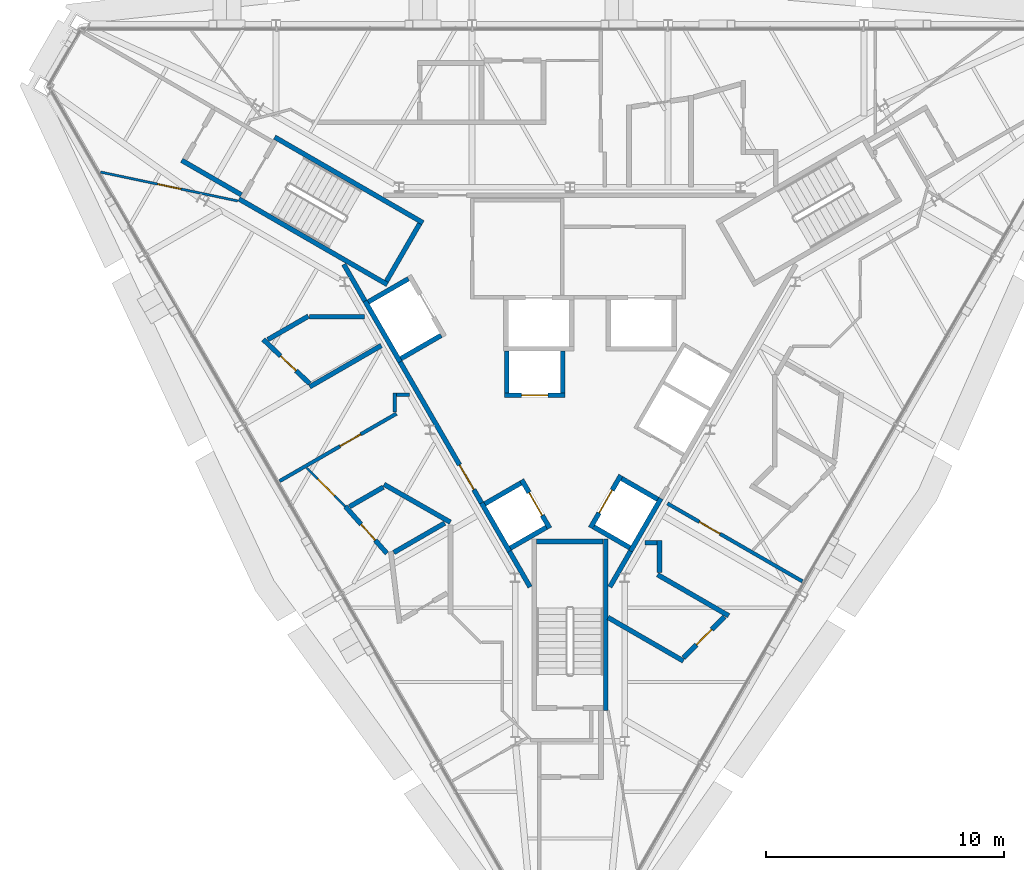
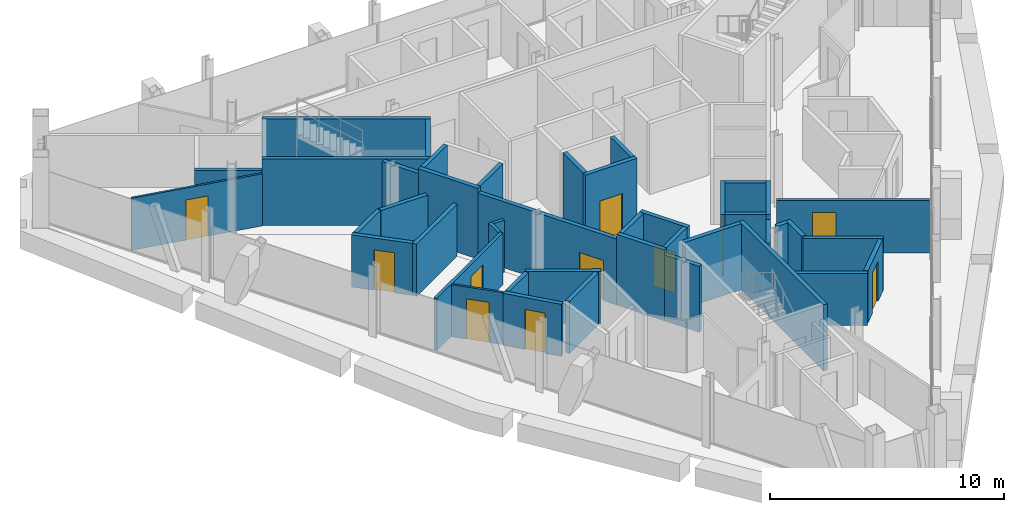
# One storey, part 8 of 13: 43 walls, 11 doors, 11 openings.
"""IFC4 building model written with IfcOpenShell, lengths in metres."""

import ifcopenshell
import ifcopenshell.guid

model = None  # the IFC model being written
_history = None  # IfcOwnerHistory: only IFC2X3 demands one
_inside = {}  # id of a spatial element -> (the spatial element, [elements in it])
_under = {}  # id of a project, library or spatial element -> (it, [spatial elements below it])
_declared = {}  # id of a project -> (the project, [libraries it declares])
_typed = {}  # id of a type object -> (the type object, [elements of that type])
_made_of = {}  # id of a material, layer set ... -> (it, [elements and type objects made of it])


def new_model(schema):
    """Start an empty IFC model of exactly this schema.

    Asked for "IFC4X3", IfcOpenShell would pick the latest addendum, in which some entities
    have other attributes; the version numbers below select the first issue.
    IFC2X3 requires an IfcOwnerHistory on every rooted entity: one is made here for all.
    """
    global model, _history
    if schema == "IFC4X3":
        model = ifcopenshell.file(schema_version=(4, 3, 0, 0))
    else:
        model = ifcopenshell.file(schema=schema)
    _inside.clear()
    _under.clear()
    _declared.clear()
    _typed.clear()
    _made_of.clear()
    _history = None
    if model.schema == "IFC2X3":
        org = make("IfcOrganization", Name="unknown")
        user = make(
            "IfcPersonAndOrganization",
            ThePerson=make("IfcPerson", FamilyName="unknown"),
            TheOrganization=org,
        )
        app = make(
            "IfcApplication",
            ApplicationDeveloper=org,
            Version="unknown",
            ApplicationFullName="unknown",
            ApplicationIdentifier="unknown",
        )
        _history = make(
            "IfcOwnerHistory",
            OwningUser=user,
            OwningApplication=app,
            ChangeAction="ADDED",
            CreationDate=0,
        )
    return model


def make(cls, **values):
    """One entity of the class cls with the attributes given. An attribute that is None is left unset."""
    return model.create_entity(
        cls, **{name: value for name, value in values.items() if value is not None}
    )


def rooted(cls, **values):
    """An entity with a GlobalId (a new one), such as an element, a storey or a relation."""
    return make(cls, GlobalId=ifcopenshell.guid.new(), OwnerHistory=_history, **values)


def si_unit(unit_type, name, prefix=None):
    """IfcSIUnit, for example si_unit("LENGTHUNIT", "METRE", prefix="MILLI")."""
    return make("IfcSIUnit", UnitType=unit_type, Prefix=prefix, Name=name)


def assignment(units):
    """IfcUnitAssignment: the units of a project."""
    return None if units is None else make("IfcUnitAssignment", Units=units)


def point(xyz):
    """IfcCartesianPoint."""
    return None if xyz is None else make("IfcCartesianPoint", Coordinates=xyz)


def direction(xyz):
    """IfcDirection."""
    return None if xyz is None else make("IfcDirection", DirectionRatios=xyz)


def frame(location, z_axis=None, x_axis=None):
    """IfcAxis2Placement3D, a coordinate frame: its origin and axes. An axis left out is left unset."""
    return make(
        "IfcAxis2Placement3D",
        Location=point(location),
        Axis=direction(z_axis),
        RefDirection=direction(x_axis),
    )


def frame_2d(location, x_axis=None):
    """IfcAxis2Placement2D, a coordinate frame in the plane: its origin and x axis."""
    return make(
        "IfcAxis2Placement2D", Location=point(location), RefDirection=direction(x_axis)
    )


def origin():
    """The frame at (0, 0, 0) with its axes left unset."""
    return frame((0.0, 0.0, 0.0))


def place(relative_to, where):
    """IfcLocalPlacement: puts the frame where relative to a parent placement (None: the world)."""
    return make(
        "IfcLocalPlacement", PlacementRelTo=relative_to, RelativePlacement=where
    )


def context(
    kind, dimensions, precision=None, world=None, true_north=None, identifier=None
):
    """IfcGeometricRepresentationContext, for example the 3D "Model" context."""
    return make(
        "IfcGeometricRepresentationContext",
        ContextIdentifier=identifier,
        ContextType=kind,
        CoordinateSpaceDimension=dimensions,
        Precision=precision,
        WorldCoordinateSystem=world,
        TrueNorth=true_north,
    )


def subcontext(parent, identifier, kind, view, scale=None):
    """IfcGeometricRepresentationSubContext, for example "Body" below "Model"."""
    return make(
        "IfcGeometricRepresentationSubContext",
        ContextIdentifier=identifier,
        ContextType=kind,
        ParentContext=parent,
        TargetScale=scale,
        TargetView=view,
    )


def project(units=None, contexts=None):
    """IfcProject with its units and contexts."""
    return rooted(
        "IfcProject",
        Name="project",
        RepresentationContexts=contexts,
        UnitsInContext=assignment(units),
    )


def spatial(cls, under=None, at=None, **own):
    """A site, building, storey or space (cls), placed at a placement, below another one or the project."""
    s = rooted(cls, ObjectPlacement=at, **own)
    if under is not None:
        _under.setdefault(under.id(), (under, []))[1].append(s)
    return s


def profile(cls, at=None, kind="AREA", **sizes):
    """A parametric profile (cls). Its sizes go by their IFC names, for example OverallWidth=200.0."""
    return make(cls, ProfileType=kind, Position=at, **sizes)


def rectangle(**sizes):
    """IfcRectangleProfileDef."""
    return profile("IfcRectangleProfileDef", **sizes)


def extrude(swept, where, along, depth):
    """IfcExtrudedAreaSolid: the profile swept, set in the frame where, extruded along a direction by depth."""
    return make(
        "IfcExtrudedAreaSolid",
        SweptArea=swept,
        Position=where,
        ExtrudedDirection=direction(along),
        Depth=depth,
    )


def shape(context_of_items, identifier, shape_type, items):
    """IfcShapeRepresentation: the items that make up one representation, for example the "Body"."""
    return make(
        "IfcShapeRepresentation",
        ContextOfItems=context_of_items,
        RepresentationIdentifier=identifier,
        RepresentationType=shape_type,
        Items=items,
    )


def material(Name=None, Category=None):
    """IfcMaterial."""
    return make("IfcMaterial", Name=Name, Category=Category)


def layer(
    of_material, thickness, ventilated=None, Name=None, Category=None, Priority=None
):
    """IfcMaterialLayer: one layer of a wall or slab, of a material (None: an air gap)."""
    return make(
        "IfcMaterialLayer",
        Material=of_material,
        LayerThickness=thickness,
        IsVentilated=ventilated,
        Name=Name,
        Category=Category,
        Priority=Priority,
    )


def layer_set(layers, Name=None):
    """IfcMaterialLayerSet."""
    return make("IfcMaterialLayerSet", MaterialLayers=layers, LayerSetName=Name)


def made_of(thing, what):
    """Note that an element or type object is made of a material, layer set ...; save() writes the relation."""
    if what is not None:
        _made_of.setdefault(what.id(), (what, []))[1].append(thing)
    return thing


def type_object(cls, material=None, **own):
    """A type object (cls), such as IfcWallType, which elements share."""
    return made_of(rooted(cls, **own), material)


def element(
    cls,
    number,
    at=None,
    inside=None,
    cuts=None,
    type_object=None,
    material=None,
    context=None,
    identifier="Body",
    shape_type=None,
    held_by="IfcProductDefinitionShape",
    body=None,
    shapes=None,
    **own,
):
    """One element of the class cls, such as IfcWall. Its Tag is "e" and its number.

    at: its placement. inside: the storey or other place that contains it. cuts: it is an
    opening in that element (IfcRelVoidsElement). A single representation is given by context,
    identifier, shape_type and body (its items); several are given by shapes. held_by: the class
    of the entity that holds the representations. save() writes the other relations.
    """
    e = rooted(cls, Tag="e%d" % number, ObjectPlacement=at, **own)
    if body is not None:
        shapes = [shape(context, identifier, shape_type, body)]
    if shapes is not None:
        e.Representation = make(held_by, Representations=shapes)
    if inside is not None:
        _inside.setdefault(inside.id(), (inside, []))[1].append(e)
    if cuts is not None:
        rooted(
            "IfcRelVoidsElement", RelatingBuildingElement=cuts, RelatedOpeningElement=e
        )
    if type_object is not None:
        _typed.setdefault(type_object.id(), (type_object, []))[1].append(e)
    return made_of(e, material)


def fill(opening, filler):
    """IfcRelFillsElement: the door or window that sits in an opening."""
    return rooted(
        "IfcRelFillsElement",
        RelatingOpeningElement=opening,
        RelatedBuildingElement=filler,
    )


def aggregate(whole, parts):
    """IfcRelAggregates: a whole, such as a stair, and the parts it consists of."""
    return rooted("IfcRelAggregates", RelatingObject=whole, RelatedObjects=parts)


def save(model, path):
    """Write the relations noted so far, then the file.

    IfcRelAggregates (storeys below a building ...), IfcRelContainedInSpatialStructure (elements
    in a storey), IfcRelDefinesByType, IfcRelAssociatesMaterial and IfcRelDeclares: one each for
    every whole, place, type object, material and project.
    """
    for whole, parts in _under.values():
        aggregate(whole, parts)
    for where, things in _inside.values():
        rooted(
            "IfcRelContainedInSpatialStructure",
            RelatedElements=things,
            RelatingStructure=where,
        )
    for kind, things in _typed.values():
        rooted("IfcRelDefinesByType", RelatedObjects=things, RelatingType=kind)
    for what, things in _made_of.values():
        rooted("IfcRelAssociatesMaterial", RelatedObjects=things, RelatingMaterial=what)
    for by, libraries in _declared.values():
        rooted("IfcRelDeclares", RelatingContext=by, RelatedDefinitions=libraries)
    model.write(path)


model = new_model("IFC4")

# Units and contexts
model_context = context("Model", 3, precision=1e-05, world=origin(), true_north=direction((0.0, 1.0)))
body_context = subcontext(model_context, "Body", "Model", "MODEL_VIEW")
ifc_project = project(units=[si_unit("LENGTHUNIT", "METRE"), si_unit("AREAUNIT", "SQUARE_METRE"), si_unit("VOLUMEUNIT", "CUBIC_METRE"), si_unit("PLANEANGLEUNIT", "RADIAN"), si_unit("MASSUNIT", "GRAM", prefix="KILO")], contexts=[model_context])

# Site, building, storey
site_placement = place(None, origin())
site = spatial("IfcSite", under=ifc_project, at=site_placement, CompositionType="ELEMENT")
building_placement = place(site_placement, origin())
building = spatial("IfcBuilding", under=site, at=building_placement, Name="Verrane Prism Tower", CompositionType="ELEMENT")
storey_placement = place(building_placement, frame((0.0, 0.0, 289.89990234375)))
storey = spatial("IfcBuildingStorey", under=building, at=storey_placement, Name="L73", CompositionType="ELEMENT", Elevation=289.89990234375)

# Wall
ifc_material_1 = material(Name="Gypsum board partition", Category="other")
ifc_layer_1 = layer(ifc_material_1, 0.199951171875)
ifc_layer_set_1 = layer_set([ifc_layer_1], Name="CW-200 core boundary wall 2 h")
wall_type_1 = type_object("IfcWallType", Name="CW-200 core boundary wall 2 h", PredefinedType="PARTITIONING", material=ifc_layer_set_1)
wall_1_placement = place(storey_placement, frame((-9.509033203125, 3.550537109375, 0.0), z_axis=(0.0, 0.0, 1.0), x_axis=(0.499999136801, -0.866025902152, 0.0)))
element("IfcWall", 1, at=wall_1_placement, inside=storey, type_object=wall_type_1, Name="Core boundary wall CW3-001", PredefinedType="PARTITIONING", context=body_context, shape_type="SweptSolid", body=[
    extrude(rectangle(XDim=1.7822265625, YDim=0.199951171875, at=frame_2d((0.89111328125, 0.0))), origin(), (0.0, 0.0, 1.0), 3.4501953125),
])

# Wall, opening, door
wall_2_placement = place(storey_placement, frame((-7.14111328125, -0.551025390625, 0.0), z_axis=(0.0, 0.0, 1.0), x_axis=(0.500001302854, -0.86602465158, 0.0)))
wall_2 = element("IfcWall", 2, at=wall_2_placement, inside=storey, type_object=wall_type_1, Name="Core boundary wall CW3-003", PredefinedType="PARTITIONING", context=body_context, shape_type="SweptSolid", body=[
    extrude(rectangle(XDim=6.84619140625, YDim=0.199951171875, at=frame_2d((3.423095703125, 0.0))), origin(), (0.0, 0.0, 1.0), 3.4501953125),
])
opening_1_placement = place(wall_2_placement, frame((5.0, 0.0, 0.0)))
opening_1 = element("IfcOpeningElement", 3, at=opening_1_placement, cuts=wall_2, Name="Opening D72510", PredefinedType="OPENING", context=body_context, shape_type="SweptSolid", body=[
    extrude(rectangle(XDim=1.199951171875, YDim=2.10009765625, at=frame_2d((0.60009765625, 1.050048828125))), frame((0.0, 0.10986328125, 0.0), z_axis=(0.0, -1.0, 0.0), x_axis=(1.0, 0.0, 0.0)), (0.0, 0.0, 1.0), 0.219970703125),
])
ifc_material_2 = material(Name="Timber veneered door leaf", Category="wood")
door_type_1 = type_object("IfcDoorType", Name="DR-1200x2100 FD60 single leaf lift lobby", OperationType="NOTDEFINED", PredefinedType="DOOR", material=ifc_material_2)
door_1_placement = place(opening_1_placement, origin())
door_1 = element("IfcDoor", 4, at=door_1_placement, inside=storey, type_object=door_type_1, Name="Lift lobby door D72510", OperationType="SINGLE_SWING_RIGHT", OverallHeight=2.10009765625, OverallWidth=1.199951171875, PredefinedType="DOOR", context=body_context, shape_type="SweptSolid", body=[
    extrude(rectangle(XDim=1.199951171875, YDim=2.10009765625, at=frame_2d((0.60009765625, 1.050048828125))), frame((0.0, 0.02490234375, 0.0), z_axis=(0.0, -1.0, 0.0), x_axis=(1.0, 0.0, 0.0)), (0.0, 0.0, 1.0), 0.050048828125),
])
fill(opening_1, door_1)

# Walls
wall_3_placement = place(storey_placement, frame((-2.541015625, -8.51904296875, 0.0), z_axis=(0.0, 0.0, 1.0), x_axis=(0.500016142392, -0.86601608377, 0.0)))
element("IfcWall", 5, at=wall_3_placement, inside=storey, type_object=wall_type_1, Name="Core boundary wall CW3-004", PredefinedType="PARTITIONING", context=body_context, shape_type="SweptSolid", body=[
    extrude(rectangle(XDim=1.72705078125, YDim=0.199951171875, at=frame_2d((0.863525390625, 0.0))), origin(), (0.0, 0.0, 1.0), 3.4501953125),
])
wall_4_placement = place(storey_placement, frame((1.677490234375, -10.0146484375, 0.0), z_axis=(0.0, 0.0, 1.0), x_axis=(0.49983532306, 0.866120459187, 0.0)))
element("IfcWall", 6, at=wall_4_placement, inside=storey, type_object=wall_type_1, Name="Core boundary wall CW3-005", PredefinedType="PARTITIONING", context=body_context, shape_type="SweptSolid", body=[
    extrude(rectangle(XDim=1.74755859375, YDim=0.199951171875, at=frame_2d((0.873779296875, 0.0))), origin(), (0.0, 0.0, 1.0), 3.4501953125),
])
ifc_material_3 = material(Name="Concrete C40/50", Category="concrete")
ifc_layer_2 = layer(ifc_material_3, 0.199951171875)
ifc_layer_set_2 = layer_set([ifc_layer_2], Name="CW-200 stair core wall concrete C40/50 3 h")
wall_type_2 = type_object("IfcWallType", Name="CW-200 stair core wall concrete C40/50 3 h", PredefinedType="PARTITIONING", material=ifc_layer_set_2)
for number, where, z_axis, x_axis, name in (
    (7, (-7.67822265625, 2.700927734375, 0.0), (0.0, 0.0, 1.0), (-0.866018442252, 0.500012057535, 0.0), "Stair 2 enclosure wall"),
    (8, (-6.17822265625, 5.299072265625, 0.0), (0.0, 0.0, 1.0), (-0.866033125095, 0.499986626058, 0.0), "Stair 2 enclosure wall"),
):
    element("IfcWall", number, at=place(storey_placement, frame(where, z_axis=z_axis, x_axis=x_axis)), inside=storey, type_object=wall_type_2, Name=name, PredefinedType="PARTITIONING", context=body_context, shape_type="SweptSolid", body=[
        extrude(rectangle(XDim=7.199951171875, YDim=0.199951171875, at=frame_2d((3.60009765625, 0.0))), origin(), (0.0, 0.0, 1.0), 3.4501953125),
    ])
wall_5_placement = place(storey_placement, frame((-6.314697265625, 5.262451171875, 0.0), z_axis=(0.0, 0.0, 1.0), x_axis=(-0.500049511043, -0.865996816683, 0.0)))
element("IfcWall", 9, at=wall_5_placement, inside=storey, type_object=wall_type_2, Name="Stair 2 enclosure wall", PredefinedType="PARTITIONING", context=body_context, shape_type="SweptSolid", body=[
    extrude(rectangle(XDim=2.800048828125, YDim=0.199951171875, at=frame_2d((1.39990234375, 0.0))), origin(), (0.0, 0.0, 1.0), 3.4501953125),
])
wall_6_placement = place(storey_placement, frame((1.5, -8.0, 0.0), z_axis=(0.0, 0.0, 1.0), x_axis=(0.0, -1.0, 0.0)))
element("IfcWall", 10, at=wall_6_placement, inside=storey, type_object=wall_type_2, Name="Stair 3 enclosure wall", PredefinedType="PARTITIONING", context=body_context, shape_type="SweptSolid", body=[
    extrude(rectangle(XDim=7.199951171875, YDim=0.199951171875, at=frame_2d((3.60009765625, 0.0))), origin(), (0.0, 0.0, 1.0), 3.4501953125),
])
wall_7_placement = place(storey_placement, frame((-1.39990234375, -8.10009765625, 0.0), z_axis=(0.0, 0.0, 1.0), x_axis=(1.0, 0.0, 0.0)))
element("IfcWall", 11, at=wall_7_placement, inside=storey, type_object=wall_type_2, Name="Stair 3 enclosure wall", PredefinedType="PARTITIONING", context=body_context, shape_type="SweptSolid", body=[
    extrude(rectangle(XDim=2.7998046875, YDim=0.199951171875, at=frame_2d((1.39990234375, 0.0))), origin(), (0.0, 0.0, 1.0), 3.4501953125),
])

# Wall, opening, door
ifc_material_4 = material(Name="Gypsum board shaft wall assembly", Category="other")
ifc_layer_3 = layer(ifc_material_4, 0.199951171875)
ifc_layer_set_3 = layer_set([ifc_layer_3], Name="HW-200 lift shaft wall 2 h")
wall_type_3 = type_object("IfcWallType", Name="HW-200 lift shaft wall 2 h", PredefinedType="PARTITIONING", material=ifc_layer_set_3)
wall_8_placement = place(storey_placement, frame((-2.7548828125, -1.949951171875, 0.0), z_axis=(0.0, 0.0, 1.0), x_axis=(1.0, 0.0, 0.0)))
wall_8 = element("IfcWall", 12, at=wall_8_placement, inside=storey, type_object=wall_type_3, Name="Lift shaft wall", PredefinedType="PARTITIONING", context=body_context, shape_type="SweptSolid", body=[
    extrude(rectangle(XDim=2.5498046875, YDim=0.199951171875, at=frame_2d((1.27490234375, 0.0))), origin(), (0.0, 0.0, 1.0), 3.7001953125),
])
opening_2_placement = place(wall_8_placement, frame((0.72509765625, 0.0, 0.0)))
opening_2 = element("IfcOpeningElement", 13, at=opening_2_placement, cuts=wall_8, Name="Opening D72504", PredefinedType="OPENING", context=body_context, shape_type="SweptSolid", body=[
    extrude(rectangle(XDim=1.10009765625, YDim=2.10009765625, at=frame_2d((0.550048828125, 1.050048828125))), frame((0.0, 0.10986328125, 0.0), z_axis=(0.0, -1.0, 0.0), x_axis=(1.0, 0.0, 0.0)), (0.0, 0.0, 1.0), 0.219970703125),
])
ifc_material_5 = material(Name="Stainless steel sliding landing door", Category="steel")
door_type_2 = type_object("IfcDoorType", Name="LD-1100x2100 lift landing door FD90 sliding", OperationType="NOTDEFINED", PredefinedType="DOOR", material=ifc_material_5)
door_2_placement = place(opening_2_placement, origin())
door_2 = element("IfcDoor", 14, at=door_2_placement, inside=storey, type_object=door_type_2, Name="Bank C lift 2 landing door", OperationType="SLIDING_TO_RIGHT", OverallHeight=2.10009765625, OverallWidth=1.10009765625, PredefinedType="DOOR", context=body_context, shape_type="SweptSolid", body=[
    extrude(rectangle(XDim=1.10009765625, YDim=2.10009765625, at=frame_2d((0.550048828125, 1.050048828125))), frame((0.0, 0.02490234375, 0.0), z_axis=(0.0, -1.0, 0.0), x_axis=(1.0, 0.0, 0.0)), (0.0, 0.0, 1.0), 0.050048828125),
])
fill(opening_2, door_2)

# Walls
for number, where, z_axis, x_axis, name in (
    (15, (-2.50537109375, -8.38037109375, 0.0), (0.0, 0.0, 1.0), (0.866002029911, 0.500040482552, 0.0), "Lift shaft wall"),
    (16, (-3.580322265625, -6.5185546875, 0.0), (0.0, 0.0, 1.0), (0.866002029911, 0.500040482552, 0.0), "Lift shaft wall"),
):
    element("IfcWall", number, at=place(storey_placement, frame(where, z_axis=z_axis, x_axis=x_axis)), inside=storey, type_object=wall_type_3, Name=name, PredefinedType="PARTITIONING", context=body_context, shape_type="SweptSolid", body=[
        extrude(rectangle(XDim=1.749755859375, YDim=0.199951171875, at=frame_2d((0.875, 0.0))), origin(), (0.0, 0.0, 1.0), 3.7001953125),
    ])
for number, where, z_axis, x_axis, name in (
    (17, (-7.10546875, -0.4130859375, 0.0), (0.0, 0.0, 1.0), (0.866000020948, 0.500043961785, 0.0), "Lift shaft wall"),
    (18, (-8.48046875, 1.968505859375, 0.0), (0.0, 0.0, 1.0), (0.866000020948, 0.500043961785, 0.0), "Lift shaft wall"),
):
    element("IfcWall", number, at=place(storey_placement, frame(where, z_axis=z_axis, x_axis=x_axis)), inside=storey, type_object=wall_type_3, Name=name, PredefinedType="PARTITIONING", context=body_context, shape_type="SweptSolid", body=[
        extrude(rectangle(XDim=1.949951171875, YDim=0.199951171875, at=frame_2d((0.97509765625, 0.0))), origin(), (0.0, 0.0, 1.0), 3.7001953125),
    ])
wall_9_placement = place(storey_placement, frame((2.552001953125, -8.499755859375, 0.0), z_axis=(0.0, 0.0, 1.0), x_axis=(0.499990435942, 0.866030925526, 0.0)))
element("IfcWall", 19, at=wall_9_placement, inside=storey, type_object=wall_type_3, Name="Lift shaft wall", PredefinedType="PARTITIONING", context=body_context, shape_type="SweptSolid", body=[
    extrude(rectangle(XDim=2.5498046875, YDim=0.199951171875, at=frame_2d((1.27490234375, 0.0))), origin(), (0.0, 0.0, 1.0), 3.7001953125),
])

# Wall, opening, door
wall_10_placement = place(storey_placement, frame((0.86328125, -7.524658203125, 0.0), z_axis=(0.0, 0.0, 1.0), x_axis=(0.499990435942, 0.866030925526, 0.0)))
wall_10 = element("IfcWall", 20, at=wall_10_placement, inside=storey, type_object=wall_type_3, Name="Lift shaft wall", PredefinedType="PARTITIONING", context=body_context, shape_type="SweptSolid", body=[
    extrude(rectangle(XDim=2.5498046875, YDim=0.199951171875, at=frame_2d((1.27490234375, 0.0))), origin(), (0.0, 0.0, 1.0), 3.7001953125),
])
opening_3_placement = place(wall_10_placement, frame((0.72509765625, 0.0, 0.0)))
opening_3 = element("IfcOpeningElement", 21, at=opening_3_placement, cuts=wall_10, Name="Opening D72505", PredefinedType="OPENING", context=body_context, shape_type="SweptSolid", body=[
    extrude(rectangle(XDim=1.10009765625, YDim=2.10009765625, at=frame_2d((0.550048828125, 1.050048828125))), frame((0.0, 0.10986328125, 0.0), z_axis=(0.0, -1.0, 0.0), x_axis=(1.0, 0.0, 0.0)), (0.0, 0.0, 1.0), 0.219970703125),
])
door_3_placement = place(opening_3_placement, origin())
door_3 = element("IfcDoor", 22, at=door_3_placement, inside=storey, type_object=door_type_2, Name="Bank C lift 3 landing door", OperationType="SLIDING_TO_LEFT", OverallHeight=2.10009765625, OverallWidth=1.10009765625, PredefinedType="DOOR", context=body_context, shape_type="SweptSolid", body=[
    extrude(rectangle(XDim=1.10009765625, YDim=2.10009765625, at=frame_2d((0.550048828125, 1.050048828125))), frame((0.0, 0.02490234375, 0.0), z_axis=(0.0, -1.0, 0.0), x_axis=(1.0, 0.0, 0.0)), (0.0, 0.0, 1.0), 0.050048828125),
])
fill(opening_3, door_3)

# Walls
for number, where, z_axis, x_axis, name in (
    (23, (-0.304931640625, -1.85009765625, 0.0), (0.0, 0.0, 1.0), (0.0, 1.0, 0.0), "Lift shaft wall"),
    (24, (-2.655029296875, -1.85009765625, 0.0), (0.0, 0.0, 1.0), (0.0, 1.0, 0.0), "Lift shaft wall"),
):
    element("IfcWall", number, at=place(storey_placement, frame(where, z_axis=z_axis, x_axis=x_axis)), inside=storey, type_object=wall_type_3, Name=name, PredefinedType="PARTITIONING", context=body_context, shape_type="SweptSolid", body=[
        extrude(rectangle(XDim=1.75, YDim=0.199951171875, at=frame_2d((0.875, 0.0))), origin(), (0.0, 0.0, 1.0), 3.7001953125),
    ])

# Wall, opening, door
wall_11_placement = place(storey_placement, frame((-0.853271484375, -7.5419921875, 0.0), z_axis=(0.0, 0.0, 1.0), x_axis=(-0.500016218704, 0.866016039709, 0.0)))
wall_11 = element("IfcWall", 25, at=wall_11_placement, inside=storey, type_object=wall_type_3, Name="Lift shaft wall", PredefinedType="PARTITIONING", context=body_context, shape_type="SweptSolid", body=[
    extrude(rectangle(XDim=2.35009765625, YDim=0.199951171875, at=frame_2d((1.175048828125, 0.0))), origin(), (0.0, 0.0, 1.0), 3.7001953125),
])
opening_4_placement = place(wall_11_placement, frame((0.625, 0.0, 0.0)))
opening_4 = element("IfcOpeningElement", 26, at=opening_4_placement, cuts=wall_11, Name="Opening D72503", PredefinedType="OPENING", context=body_context, shape_type="SweptSolid", body=[
    extrude(rectangle(XDim=1.10009765625, YDim=2.10009765625, at=frame_2d((0.550048828125, 1.050048828125))), frame((0.0, 0.10986328125, 0.0), z_axis=(0.0, -1.0, 0.0), x_axis=(1.0, 0.0, 0.0)), (0.0, 0.0, 1.0), 0.219970703125),
])
door_4_placement = place(opening_4_placement, origin())
door_4 = element("IfcDoor", 27, at=door_4_placement, inside=storey, type_object=door_type_2, Name="Bank C lift 1 landing door", OperationType="SLIDING_TO_LEFT", OverallHeight=2.10009765625, OverallWidth=1.10009765625, PredefinedType="DOOR", context=body_context, shape_type="SweptSolid", body=[
    extrude(rectangle(XDim=1.10009765625, YDim=2.10009765625, at=frame_2d((0.550048828125, 1.050048828125))), frame((0.0, 0.02490234375, 0.0), z_axis=(0.0, -1.0, 0.0), x_axis=(1.0, 0.0, 0.0)), (0.0, 0.0, 1.0), 0.050048828125),
])
fill(opening_4, door_4)

# Walls
wall_12_placement = place(storey_placement, frame((-2.5419921875, -8.51708984375, 0.0), z_axis=(0.0, 0.0, 1.0), x_axis=(-0.500016218704, 0.866016039709, 0.0)))
element("IfcWall", 28, at=wall_12_placement, inside=storey, type_object=wall_type_3, Name="Lift shaft wall", PredefinedType="PARTITIONING", context=body_context, shape_type="SweptSolid", body=[
    extrude(rectangle(XDim=2.35009765625, YDim=0.199951171875, at=frame_2d((1.175048828125, 0.0))), origin(), (0.0, 0.0, 1.0), 3.7001953125),
])
wall_13_placement = place(storey_placement, frame((-7.14208984375, -0.549560546875, 0.0), z_axis=(0.0, 0.0, 1.0), x_axis=(-0.49997559174, 0.866039495442, 0.0)))
element("IfcWall", 29, at=wall_13_placement, inside=storey, type_object=wall_type_3, Name="Lift shaft wall", PredefinedType="PARTITIONING", context=body_context, shape_type="SweptSolid", body=[
    extrude(rectangle(XDim=2.949951171875, YDim=0.199951171875, at=frame_2d((1.47509765625, 0.0))), origin(), (0.0, 0.0, 1.0), 3.7001953125),
])
for number, where, z_axis, x_axis, name in (
    (30, (3.6904296875, -6.327880859375, 0.0), (0.0, 0.0, 1.0), (-0.866036909293, 0.499980071345, 0.0), "Lift shaft wall"),
    (31, (2.515380859375, -8.36328125, 0.0), (0.0, 0.0, 1.0), (-0.866036909293, 0.499980071345, 0.0), "Lift shaft wall"),
):
    element("IfcWall", number, at=place(storey_placement, frame(where, z_axis=z_axis, x_axis=x_axis)), inside=storey, type_object=wall_type_3, Name=name, PredefinedType="PARTITIONING", context=body_context, shape_type="SweptSolid", body=[
        extrude(rectangle(XDim=1.75, YDim=0.199951171875, at=frame_2d((0.875, 0.0))), origin(), (0.0, 0.0, 1.0), 3.7001953125),
    ])

# Wall, opening, door
ifc_material_6 = material(Name="Gypsum board partition", Category="other")
ifc_layer_4 = layer(ifc_material_6, 0.10009765625)
ifc_layer_set_4 = layer_set([ifc_layer_4], Name="PW-100 room partition")
wall_type_4 = type_object("IfcWallType", Name="PW-100 room partition", PredefinedType="PARTITIONING", material=ifc_layer_set_4)
wall_14_placement = place(storey_placement, frame((-19.728759765625, 7.428466796875, 0.0), z_axis=(0.0, 0.0, 1.0), x_axis=(0.97852427483, -0.206131617102, 0.0)))
wall_14 = element("IfcWall", 32, at=wall_14_placement, inside=storey, type_object=wall_type_4, Name="Room partition 002", PredefinedType="PARTITIONING", context=body_context, shape_type="SweptSolid", body=[
    extrude(rectangle(XDim=5.89111328125, YDim=0.10009765625, at=frame_2d((2.945556640625, 0.0))), origin(), (0.0, 0.0, 1.0), 2.72314453125),
])
opening_5_placement = place(wall_14_placement, frame((2.44970703125, 0.0, 0.0)))
opening_5 = element("IfcOpeningElement", 33, at=opening_5_placement, cuts=wall_14, Name="Opening D72021", PredefinedType="OPENING", context=body_context, shape_type="SweptSolid", body=[
    extrude(rectangle(XDim=1.0, YDim=2.10009765625, at=frame_2d((0.5, 1.050048828125))), frame((0.0, 0.06005859375, 0.0), z_axis=(0.0, -1.0, 0.0), x_axis=(1.0, 0.0, 0.0)), (0.0, 0.0, 1.0), 0.1201171875),
])
ifc_material_7 = material(Name="Timber veneered door leaf", Category="wood")
door_type_3 = type_object("IfcDoorType", Name="DR-1000x2100 single leaf inner", OperationType="NOTDEFINED", PredefinedType="DOOR", material=ifc_material_7)
door_5_placement = place(opening_5_placement, origin())
door_5 = element("IfcDoor", 34, at=door_5_placement, inside=storey, type_object=door_type_3, Name="Living And Dining Room door", OperationType="SINGLE_SWING_LEFT", OverallHeight=2.10009765625, OverallWidth=1.0, PredefinedType="DOOR", context=body_context, shape_type="SweptSolid", body=[
    extrude(rectangle(XDim=1.0, YDim=2.10009765625, at=frame_2d((0.5, 1.050048828125))), frame((0.0, 0.02490234375, 0.0), z_axis=(0.0, -1.0, 0.0), x_axis=(1.0, 0.0, 0.0)), (0.0, 0.0, 1.0), 0.050048828125),
])
fill(opening_5, door_5)

wall_15_placement = place(storey_placement, frame((-9.4521484375, -6.626708984375, 0.0), z_axis=(0.0, 0.0, 1.0), x_axis=(-0.707106781187, 0.707106781187, 0.0)))
wall_15 = element("IfcWall", 35, at=wall_15_placement, inside=storey, type_object=wall_type_4, Name="Room partition 013", PredefinedType="PARTITIONING", context=body_context, shape_type="SweptSolid", body=[
    extrude(rectangle(XDim=2.288818359375, YDim=0.10009765625, at=frame_2d((1.14453125, 0.0))), origin(), (0.0, 0.0, 1.0), 2.72314453125),
])
opening_6_placement = place(wall_15_placement, frame((0.6298828125, 0.0, 0.0)))
opening_6 = element("IfcOpeningElement", 36, at=opening_6_placement, cuts=wall_15, Name="Opening D72023", PredefinedType="OPENING", context=body_context, shape_type="SweptSolid", body=[
    extrude(rectangle(XDim=1.0, YDim=2.10009765625, at=frame_2d((0.5, 1.050048828125))), frame((0.0, 0.06005859375, 0.0), z_axis=(0.0, -1.0, 0.0), x_axis=(1.0, 0.0, 0.0)), (0.0, 0.0, 1.0), 0.1201171875),
])
door_6_placement = place(opening_6_placement, origin())
door_6 = element("IfcDoor", 37, at=door_6_placement, inside=storey, type_object=door_type_3, Name="Entrance Foyer door", OperationType="SINGLE_SWING_RIGHT", OverallHeight=2.10009765625, OverallWidth=1.0, PredefinedType="DOOR", context=body_context, shape_type="SweptSolid", body=[
    extrude(rectangle(XDim=1.0, YDim=2.10009765625, at=frame_2d((0.5, 1.050048828125))), frame((0.0, 0.02490234375, 0.0), z_axis=(0.0, -1.0, 0.0), x_axis=(1.0, 0.0, 0.0)), (0.0, 0.0, 1.0), 0.050048828125),
])
fill(opening_6, door_6)

ifc_material_8 = material(Name="Gypsum board partition", Category="other")
ifc_layer_5 = layer(ifc_material_8, 0.14990234375)
ifc_layer_set_5 = layer_set([ifc_layer_5], Name="PW-150 demising wall 1 h")
wall_type_5 = type_object("IfcWallType", Name="PW-150 demising wall 1 h", PredefinedType="PARTITIONING", material=ifc_layer_set_5)
wall_16_placement = place(storey_placement, frame((-12.205078125, -5.562255859375, 0.0), z_axis=(0.0, 0.0, 1.0), x_axis=(0.866006351856, 0.500032997455, 0.0)))
wall_16 = element("IfcWall", 38, at=wall_16_placement, inside=storey, type_object=wall_type_5, Name="Demising wall 011", PredefinedType="PARTITIONING", context=body_context, shape_type="SweptSolid", body=[
    extrude(rectangle(XDim=5.6708984375, YDim=0.14990234375, at=frame_2d((2.83544921875, 0.0))), origin(), (0.0, 0.0, 1.0), 2.72314453125),
])
opening_7_placement = place(wall_16_placement, frame((2.935302734375, 0.0, 0.0)))
opening_7 = element("IfcOpeningElement", 39, at=opening_7_placement, cuts=wall_16, Name="Opening D72019", PredefinedType="OPENING", context=body_context, shape_type="SweptSolid", body=[
    extrude(rectangle(XDim=1.0, YDim=2.10009765625, at=frame_2d((0.5, 1.050048828125))), frame((0.0, 0.0849609375, 0.0), z_axis=(0.0, -1.0, 0.0), x_axis=(1.0, 0.0, 0.0)), (0.0, 0.0, 1.0), 0.169921875),
])
ifc_material_9 = material(Name="Timber veneered door leaf", Category="wood")
door_type_4 = type_object("IfcDoorType", Name="DR-1000x2100 FD20 single leaf inner", OperationType="NOTDEFINED", PredefinedType="DOOR", material=ifc_material_9)
door_7_placement = place(opening_7_placement, origin())
door_7 = element("IfcDoor", 40, at=door_7_placement, inside=storey, type_object=door_type_4, Name="Entrance Foyer door", OperationType="SINGLE_SWING_LEFT", OverallHeight=2.10009765625, OverallWidth=1.0, PredefinedType="DOOR", context=body_context, shape_type="SweptSolid", body=[
    extrude(rectangle(XDim=1.0, YDim=2.10009765625, at=frame_2d((0.5, 1.050048828125))), frame((0.0, 0.02490234375, 0.0), z_axis=(0.0, -1.0, 0.0), x_axis=(1.0, 0.0, 0.0)), (0.0, 0.0, 1.0), 0.050048828125),
])
fill(opening_7, door_7)

# Walls
wall_17_placement = place(storey_placement, frame((-7.35888671875, -2.6640625, 0.0), z_axis=(0.0, 0.0, 1.0), x_axis=(0.0, 1.0, 0.0)))
element("IfcWall", 41, at=wall_17_placement, inside=storey, type_object=wall_type_5, Name="Demising wall 022", PredefinedType="PARTITIONING", context=body_context, shape_type="SweptSolid", body=[
    extrude(rectangle(XDim=0.80810546875, YDim=0.14990234375, at=frame_2d((0.404052734375, 0.0))), origin(), (0.0, 0.0, 1.0), 2.72314453125),
])
wall_18_placement = place(storey_placement, frame((-7.283935546875, -1.930908203125, 0.0), z_axis=(0.0, 0.0, 1.0), x_axis=(1.0, 0.0, 0.0)))
element("IfcWall", 42, at=wall_18_placement, inside=storey, type_object=wall_type_5, Name="Demising wall 023", PredefinedType="PARTITIONING", context=body_context, shape_type="SweptSolid", body=[
    extrude(rectangle(XDim=0.546875, YDim=0.14990234375, at=frame_2d((0.2734375, 0.0))), origin(), (0.0, 0.0, 1.0), 2.72314453125),
])

# Wall, opening, door
wall_19_placement = place(storey_placement, frame((9.771728515625, -9.77685546875, 0.0), z_axis=(0.0, 0.0, 1.0), x_axis=(-0.866083818164, 0.499898809675, 0.0)))
wall_19 = element("IfcWall", 43, at=wall_19_placement, inside=storey, type_object=wall_type_5, Name="Demising wall 052", PredefinedType="PARTITIONING", context=body_context, shape_type="SweptSolid", body=[
    extrude(rectangle(XDim=6.551025390625, YDim=0.14990234375, at=frame_2d((3.275390625, 0.0))), origin(), (0.0, 0.0, 1.0), 2.72314453125),
])
opening_8_placement = place(wall_19_placement, frame((4.0009765625, 0.0, 0.0)))
opening_8 = element("IfcOpeningElement", 44, at=opening_8_placement, cuts=wall_19, Name="Opening D72001", PredefinedType="OPENING", context=body_context, shape_type="SweptSolid", body=[
    extrude(rectangle(XDim=1.0, YDim=2.10009765625, at=frame_2d((0.5, 1.050048828125))), frame((0.0, 0.0849609375, 0.0), z_axis=(0.0, -1.0, 0.0), x_axis=(1.0, 0.0, 0.0)), (0.0, 0.0, 1.0), 0.169921875),
])
door_8_placement = place(opening_8_placement, origin())
door_8 = element("IfcDoor", 45, at=door_8_placement, inside=storey, type_object=door_type_4, Name="Entrance Foyer door", OperationType="SINGLE_SWING_RIGHT", OverallHeight=2.10009765625, OverallWidth=1.0, PredefinedType="DOOR", context=body_context, shape_type="SweptSolid", body=[
    extrude(rectangle(XDim=1.0, YDim=2.10009765625, at=frame_2d((0.5, 1.050048828125))), frame((0.0, 0.02490234375, 0.0), z_axis=(0.0, -1.0, 0.0), x_axis=(1.0, 0.0, 0.0)), (0.0, 0.0, 1.0), 0.050048828125),
])
fill(opening_8, door_8)

# Walls
ifc_material_10 = material(Name="Gypsum board partition", Category="other")
ifc_layer_6 = layer(ifc_material_10, 0.199951171875)
ifc_layer_set_6 = layer_set([ifc_layer_6], Name="PW-200 plumbing wall")
wall_type_6 = type_object("IfcWallType", Name="PW-200 plumbing wall", PredefinedType="PARTITIONING", material=ifc_layer_set_6)
wall_20_placement = place(storey_placement, frame((-16.32470703125, 7.924072265625, 0.0), z_axis=(0.0, 0.0, 1.0), x_axis=(0.865969617579, -0.500096612097, 0.0)))
element("IfcWall", 46, at=wall_20_placement, inside=storey, type_object=wall_type_6, Name="Plumbing wall 004", PredefinedType="PARTITIONING", context=body_context, shape_type="SweptSolid", body=[
    extrude(rectangle(XDim=2.8994140625, YDim=0.199951171875, at=frame_2d((1.44970703125, 0.0))), origin(), (0.0, 0.0, 1.0), 2.72314453125),
])
wall_21_placement = place(storey_placement, frame((-12.701171875, 0.386474609375, 0.0), z_axis=(0.0, 0.0, 1.0), x_axis=(0.866028603765, 0.49999445743, 0.0)))
element("IfcWall", 47, at=wall_21_placement, inside=storey, type_object=wall_type_6, Name="Plumbing wall 009", PredefinedType="PARTITIONING", context=body_context, shape_type="SweptSolid", body=[
    extrude(rectangle(XDim=1.96826171875, YDim=0.199951171875, at=frame_2d((0.984130859375, 0.0))), origin(), (0.0, 0.0, 1.0), 2.72314453125),
])

# Wall, opening, door
wall_22_placement = place(storey_placement, frame((-12.890380859375, 0.387939453125, 0.0), z_axis=(0.0, 0.0, 1.0), x_axis=(0.724395225918, -0.689384911836, 0.0)))
wall_22 = element("IfcWall", 48, at=wall_22_placement, inside=storey, type_object=wall_type_6, Name="Plumbing wall 010", PredefinedType="PARTITIONING", context=body_context, shape_type="SweptSolid", body=[
    extrude(rectangle(XDim=2.684814453125, YDim=0.199951171875, at=frame_2d((1.34228515625, 0.0))), origin(), (0.0, 0.0, 1.0), 2.72314453125),
])
opening_9_placement = place(wall_22_placement, frame((1.0, 0.0, 0.0)))
opening_9 = element("IfcOpeningElement", 49, at=opening_9_placement, cuts=wall_22, Name="Opening D72020", PredefinedType="OPENING", context=body_context, shape_type="SweptSolid", body=[
    extrude(rectangle(XDim=0.89990234375, YDim=2.10009765625, at=frame_2d((0.449951171875, 1.050048828125))), frame((0.0, 0.10986328125, 0.0), z_axis=(0.0, -1.0, 0.0), x_axis=(1.0, 0.0, 0.0)), (0.0, 0.0, 1.0), 0.219970703125),
])
ifc_material_11 = material(Name="Timber veneered door leaf", Category="wood")
door_type_5 = type_object("IfcDoorType", Name="DR-900x2100 single leaf inner", OperationType="NOTDEFINED", PredefinedType="DOOR", material=ifc_material_11)
door_9_placement = place(opening_9_placement, origin())
door_9 = element("IfcDoor", 50, at=door_9_placement, inside=storey, type_object=door_type_5, Name="Kitchen door", OperationType="SINGLE_SWING_RIGHT", OverallHeight=2.10009765625, OverallWidth=0.89990234375, PredefinedType="DOOR", context=body_context, shape_type="SweptSolid", body=[
    extrude(rectangle(XDim=0.89990234375, YDim=2.10009765625, at=frame_2d((0.449951171875, 1.050048828125))), frame((0.0, 0.02490234375, 0.0), z_axis=(0.0, -1.0, 0.0), x_axis=(1.0, 0.0, 0.0)), (0.0, 0.0, 1.0), 0.050048828125),
])
fill(opening_9, door_9)

# Walls
wall_23_placement = place(storey_placement, frame((-10.948974609375, 1.35107421875, 0.0), z_axis=(0.0, 0.0, 1.0), x_axis=(1.0, 0.0, 0.0)))
element("IfcWall", 51, at=wall_23_placement, inside=storey, type_object=wall_type_6, Name="Plumbing wall 014", PredefinedType="PARTITIONING", context=body_context, shape_type="SweptSolid", body=[
    extrude(rectangle(XDim=2.31689453125, YDim=0.199951171875, at=frame_2d((1.158447265625, 0.0))), origin(), (0.0, 0.0, 1.0), 2.72314453125),
])
wall_24_placement = place(storey_placement, frame((-10.941650390625, -1.598876953125, 0.0), z_axis=(0.0, 0.0, 1.0), x_axis=(0.866134116492, 0.499811656775, 0.0)))
element("IfcWall", 52, at=wall_24_placement, inside=storey, type_object=wall_type_6, Name="Plumbing wall 015", PredefinedType="PARTITIONING", context=body_context, shape_type="SweptSolid", body=[
    extrude(rectangle(XDim=3.474853515625, YDim=0.199951171875, at=frame_2d((1.7373046875, 0.0))), origin(), (0.0, 0.0, 1.0), 2.72314453125),
])
wall_25_placement = place(storey_placement, frame((-9.269775390625, -6.638427734375, 0.0), z_axis=(0.0, 0.0, 1.0), x_axis=(0.865883664904, 0.500245418622, 0.0)))
element("IfcWall", 53, at=wall_25_placement, inside=storey, type_object=wall_type_6, Name="Plumbing wall 017", PredefinedType="PARTITIONING", context=body_context, shape_type="SweptSolid", body=[
    extrude(rectangle(XDim=1.643310546875, YDim=0.199951171875, at=frame_2d((0.82177734375, 0.0))), origin(), (0.0, 0.0, 1.0), 2.72314453125),
])

# Wall, opening, door
wall_26_placement = place(storey_placement, frame((-9.4443359375, -6.626220703125, 0.0), z_axis=(0.0, 0.0, 1.0), x_axis=(0.662869305379, -0.748735122715, 0.0)))
wall_26 = element("IfcWall", 54, at=wall_26_placement, inside=storey, type_object=wall_type_6, Name="Plumbing wall 018", PredefinedType="PARTITIONING", context=body_context, shape_type="SweptSolid", body=[
    extrude(rectangle(XDim=2.638671875, YDim=0.199951171875, at=frame_2d((1.3193359375, 0.0))), origin(), (0.0, 0.0, 1.0), 2.72314453125),
])
opening_10_placement = place(wall_26_placement, frame((1.0, 0.0, 0.0)))
opening_10 = element("IfcOpeningElement", 55, at=opening_10_placement, cuts=wall_26, Name="Opening D72024", PredefinedType="OPENING", context=body_context, shape_type="SweptSolid", body=[
    extrude(rectangle(XDim=0.89990234375, YDim=2.10009765625, at=frame_2d((0.449951171875, 1.050048828125))), frame((0.0, 0.10986328125, 0.0), z_axis=(0.0, -1.0, 0.0), x_axis=(1.0, 0.0, 0.0)), (0.0, 0.0, 1.0), 0.219970703125),
])
door_10_placement = place(opening_10_placement, origin())
door_10 = element("IfcDoor", 56, at=door_10_placement, inside=storey, type_object=door_type_5, Name="Kitchen door", OperationType="SINGLE_SWING_RIGHT", OverallHeight=2.10009765625, OverallWidth=0.89990234375, PredefinedType="DOOR", context=body_context, shape_type="SweptSolid", body=[
    extrude(rectangle(XDim=0.89990234375, YDim=2.10009765625, at=frame_2d((0.449951171875, 1.050048828125))), frame((0.0, 0.02490234375, 0.0), z_axis=(0.0, -1.0, 0.0), x_axis=(1.0, 0.0, 0.0)), (0.0, 0.0, 1.0), 0.050048828125),
])
fill(opening_10, door_10)

# Walls
wall_27_placement = place(storey_placement, frame((-7.81689453125, -5.699462890625, 0.0), z_axis=(0.0, 0.0, 1.0), x_axis=(0.868528315933, -0.495639550906, 0.0)))
element("IfcWall", 57, at=wall_27_placement, inside=storey, type_object=wall_type_6, Name="Plumbing wall 019", PredefinedType="PARTITIONING", context=body_context, shape_type="SweptSolid", body=[
    extrude(rectangle(XDim=3.212158203125, YDim=0.199951171875, at=frame_2d((1.60595703125, 0.0))), origin(), (0.0, 0.0, 1.0), 2.72314453125),
])
wall_28_placement = place(storey_placement, frame((-7.406494140625, -8.56494140625, 0.0), z_axis=(0.0, 0.0, 1.0), x_axis=(0.866144473187, 0.499793709012, 0.0)))
element("IfcWall", 58, at=wall_28_placement, inside=storey, type_object=wall_type_6, Name="Plumbing wall 021", PredefinedType="PARTITIONING", context=body_context, shape_type="SweptSolid", body=[
    extrude(rectangle(XDim=2.4716796875, YDim=0.199951171875, at=frame_2d((1.23583984375, 0.0))), origin(), (0.0, 0.0, 1.0), 2.72314453125),
])
wall_29_placement = place(storey_placement, frame((1.60009765625, -11.294921875, 0.0), z_axis=(0.0, 0.0, 1.0), x_axis=(0.866067869506, -0.499926439998, 0.0)))
element("IfcWall", 59, at=wall_29_placement, inside=storey, type_object=wall_type_6, Name="Plumbing wall 046", PredefinedType="PARTITIONING", context=body_context, shape_type="SweptSolid", body=[
    extrude(rectangle(XDim=3.66064453125, YDim=0.199951171875, at=frame_2d((1.830322265625, 0.0))), origin(), (0.0, 0.0, 1.0), 2.72314453125),
])
wall_30_placement = place(storey_placement, frame((3.14599609375, -8.15087890625, 0.0), z_axis=(0.0, 0.0, 1.0), x_axis=(1.0, 0.0, 0.0)))
element("IfcWall", 60, at=wall_30_placement, inside=storey, type_object=wall_type_6, Name="Plumbing wall 049", PredefinedType="PARTITIONING", context=body_context, shape_type="SweptSolid", body=[
    extrude(rectangle(XDim=0.52294921875, YDim=0.199951171875, at=frame_2d((0.261474609375, 0.0))), origin(), (0.0, 0.0, 1.0), 2.72314453125),
])
wall_31_placement = place(storey_placement, frame((3.76904296875, -9.409912109375, 0.0), z_axis=(0.0, 0.0, 1.0), x_axis=(0.0, 1.0, 0.0)))
element("IfcWall", 61, at=wall_31_placement, inside=storey, type_object=wall_type_6, Name="Plumbing wall 050", PredefinedType="PARTITIONING", context=body_context, shape_type="SweptSolid", body=[
    extrude(rectangle(XDim=1.35888671875, YDim=0.199951171875, at=frame_2d((0.679443359375, 0.0))), origin(), (0.0, 0.0, 1.0), 2.72314453125),
])
wall_32_placement = place(storey_placement, frame((3.682373046875, -9.4951171875, 0.0), z_axis=(0.0, 0.0, 1.0), x_axis=(0.866046690806, -0.499963127985, 0.0)))
element("IfcWall", 62, at=wall_32_placement, inside=storey, type_object=wall_type_6, Name="Plumbing wall 051", PredefinedType="PARTITIONING", context=body_context, shape_type="SweptSolid", body=[
    extrude(rectangle(XDim=3.453857421875, YDim=0.199951171875, at=frame_2d((1.72705078125, 0.0))), origin(), (0.0, 0.0, 1.0), 2.72314453125),
])

# Wall, opening, door
wall_33_placement = place(storey_placement, frame((4.7724609375, -12.986572265625, 0.0), z_axis=(0.0, 0.0, 1.0), x_axis=(0.707106781187, 0.707106781187, 0.0)))
wall_33 = element("IfcWall", 63, at=wall_33_placement, inside=storey, type_object=wall_type_6, Name="Plumbing wall 053", PredefinedType="PARTITIONING", context=body_context, shape_type="SweptSolid", body=[
    extrude(rectangle(XDim=2.436279296875, YDim=0.199951171875, at=frame_2d((1.21826171875, 0.0))), origin(), (0.0, 0.0, 1.0), 2.72314453125),
])
opening_11_placement = place(wall_33_placement, frame((0.77490234375, 0.0, 0.0)))
opening_11 = element("IfcOpeningElement", 64, at=opening_11_placement, cuts=wall_33, Name="Opening D72002", PredefinedType="OPENING", context=body_context, shape_type="SweptSolid", body=[
    extrude(rectangle(XDim=0.89990234375, YDim=2.10009765625, at=frame_2d((0.449951171875, 1.050048828125))), frame((0.0, 0.10986328125, 0.0), z_axis=(0.0, -1.0, 0.0), x_axis=(1.0, 0.0, 0.0)), (0.0, 0.0, 1.0), 0.219970703125),
])
door_11_placement = place(opening_11_placement, origin())
door_11 = element("IfcDoor", 65, at=door_11_placement, inside=storey, type_object=door_type_5, Name="Kitchen door", OperationType="SINGLE_SWING_RIGHT", OverallHeight=2.10009765625, OverallWidth=0.89990234375, PredefinedType="DOOR", context=body_context, shape_type="SweptSolid", body=[
    extrude(rectangle(XDim=0.89990234375, YDim=2.10009765625, at=frame_2d((0.449951171875, 1.050048828125))), frame((0.0, 0.02490234375, 0.0), z_axis=(0.0, -1.0, 0.0), x_axis=(1.0, 0.0, 0.0)), (0.0, 0.0, 1.0), 0.050048828125),
])
fill(opening_11, door_11)

save(model, "model.ifc")
